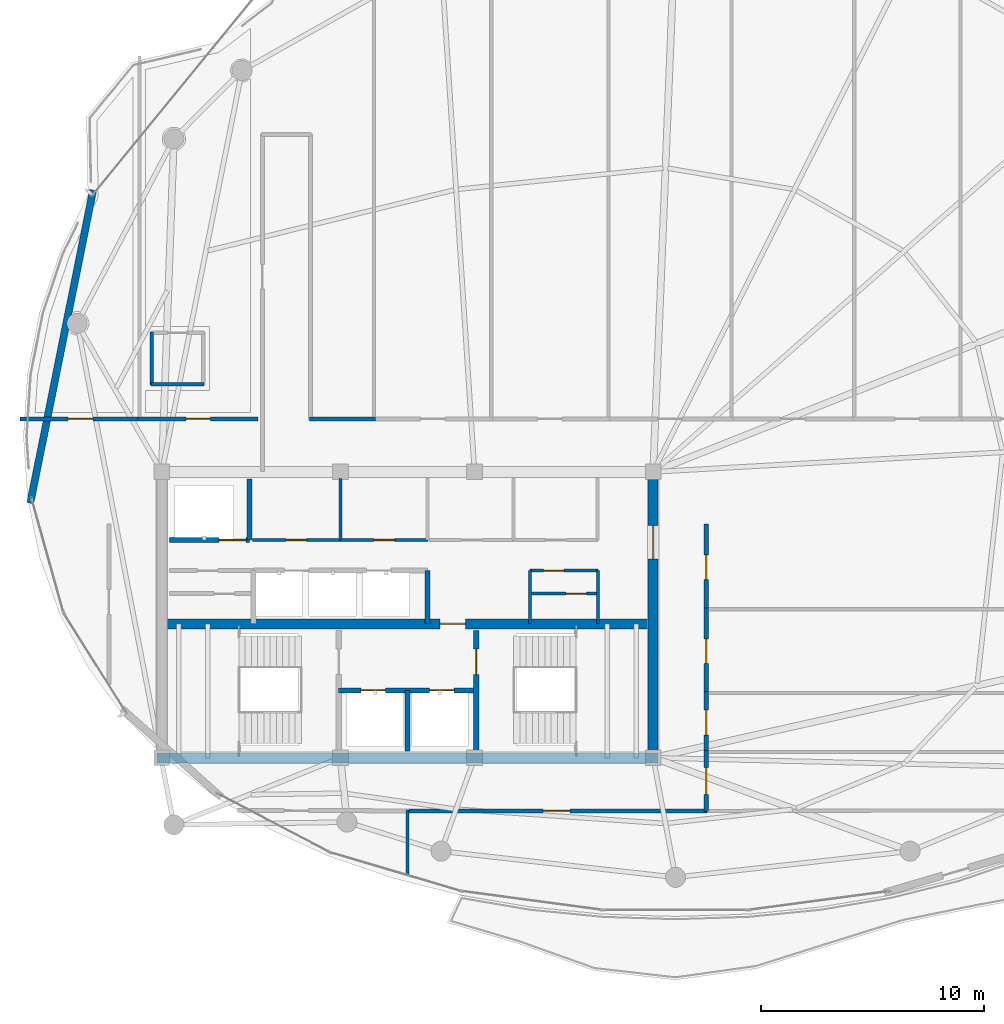
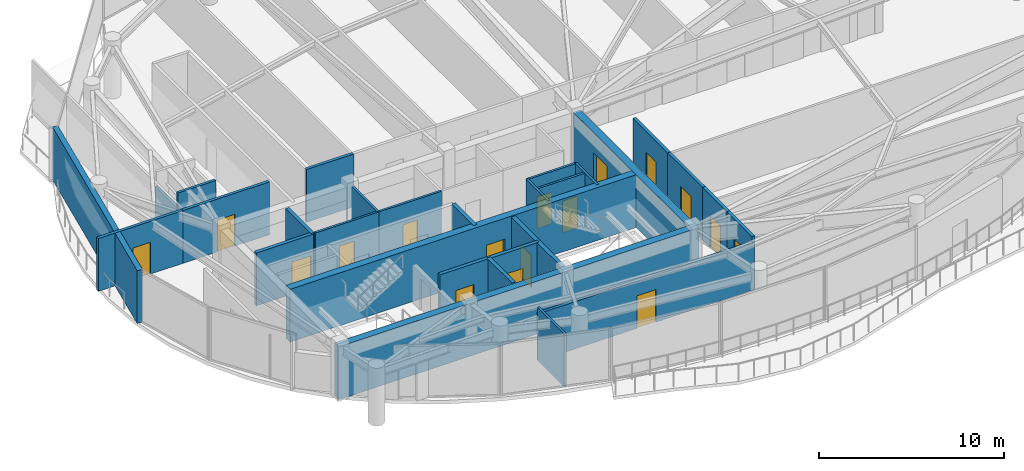
# One storey, part 24 of 29: 28 walls, 17 doors, 17 openings.
"""IFC4 building model written with IfcOpenShell, lengths in metres."""

from ifc_helpers import new_model, si_unit, direction, frame, frame_2d, origin, place, context, subcontext, project, spatial, rectangle, extrude, material, layer, layer_set, type_object, element, fill, save


model = new_model("IFC4")

# Units and contexts
model_context = context("Model", 3, precision=1e-05, world=origin(), true_north=direction((0.0, 1.0)))
body_context = subcontext(model_context, "Body", "Model", "MODEL_VIEW")
ifc_project = project(units=[si_unit("LENGTHUNIT", "METRE"), si_unit("AREAUNIT", "SQUARE_METRE"), si_unit("VOLUMEUNIT", "CUBIC_METRE"), si_unit("PLANEANGLEUNIT", "RADIAN"), si_unit("MASSUNIT", "GRAM", prefix="KILO")], contexts=[model_context])

# Site, building, storey
site_placement = place(None, origin())
site = spatial("IfcSite", under=ifc_project, at=site_placement, CompositionType="ELEMENT")
building_placement = place(site_placement, origin())
building = spatial("IfcBuilding", under=site, at=building_placement, Name="Kazevale Care Tower and Concert Hall", CompositionType="ELEMENT")
storey_placement = place(building_placement, frame((0.0, 0.0, 289.0)))
storey = spatial("IfcBuildingStorey", under=building, at=storey_placement, Name="L76", CompositionType="ELEMENT", Elevation=289.0)

# Wall, opening, door
ifc_material_1 = material(Name="Acoustic Gypsum on Steel Stud", Category="steel")
ifc_layer_1 = layer(ifc_material_1, 0.139892578125)
ifc_layer_set_1 = layer_set([ifc_layer_1], Name="Acoustic Gypsum on Steel Stud")
wall_type_1 = type_object("IfcWallType", Name="Acoustic Care & Suite Partition 140", PredefinedType="PARTITIONING", material=ifc_layer_set_1)
wall_1_placement = place(storey_placement, frame((26.050048828125, 33.35009765625, 0.0), z_axis=(0.0, 0.0, 1.0), x_axis=(1.0, 0.0, 0.0)))
wall_1 = element("IfcWall", 1, at=wall_1_placement, inside=storey, type_object=wall_type_1, Name="wall:L76:c_rpl1_s", PredefinedType="PARTITIONING", context=body_context, shape_type="SweptSolid", body=[
    extrude(rectangle(XDim=3.949951171875, YDim=0.139892578125, at=frame_2d((1.97509765625, 0.0))), origin(), (0.0, 0.0, 1.0), 3.47998046875),
])
opening_1_placement = place(wall_1_placement, frame((1.514892578125, 0.0, 0.0)))
opening_1 = element("IfcOpeningElement", 2, at=opening_1_placement, cuts=wall_1, Name="Opening ID-900", PredefinedType="OPENING", context=body_context, shape_type="SweptSolid", body=[
    extrude(rectangle(XDim=0.919921875, YDim=2.10009765625, at=frame_2d((0.4599609375, 1.050048828125))), frame((0.0, 0.079833984375, 0.0), z_axis=(0.0, -1.0, 0.0), x_axis=(1.0, 0.0, 0.0)), (0.0, 0.0, 1.0), 0.159912109375),
])
ifc_material_2 = material(Name="Oak Timber Fire Leaf", Category="wood")
door_type_1 = type_object("IfcDoorType", Name="Bathroom & Service Door 920x2100", OperationType="NOTDEFINED", PredefinedType="DOOR", material=ifc_material_2)
door_1_placement = place(opening_1_placement, origin())
door_1 = element("IfcDoor", 3, at=door_1_placement, inside=storey, type_object=door_type_1, Name="door:L76:d_rpl1", OperationType="SINGLE_SWING_LEFT", OverallHeight=2.10009765625, OverallWidth=0.919921875, PredefinedType="DOOR", context=body_context, shape_type="SweptSolid", body=[
    extrude(rectangle(XDim=0.919921875, YDim=2.10009765625, at=frame_2d((0.4599609375, 1.050048828125))), frame((0.0, 0.02490234375, 0.0), z_axis=(0.0, -1.0, 0.0), x_axis=(1.0, 0.0, 0.0)), (0.0, 0.0, 1.0), 0.050048828125),
])
fill(opening_1, door_1)

wall_2_placement = place(storey_placement, frame((30.0, 33.35009765625, 0.0), z_axis=(0.0, 0.0, 1.0), x_axis=(1.0, 0.0, 0.0)))
wall_2 = element("IfcWall", 4, at=wall_2_placement, inside=storey, type_object=wall_type_1, Name="wall:L76:c_rpl2_s", PredefinedType="PARTITIONING", context=body_context, shape_type="SweptSolid", body=[
    extrude(rectangle(XDim=3.919921875, YDim=0.139892578125, at=frame_2d((1.9599609375, 0.0))), origin(), (0.0, 0.0, 1.0), 3.47998046875),
])
opening_2_placement = place(wall_2_placement, frame((1.5, 0.0, 0.0)))
opening_2 = element("IfcOpeningElement", 5, at=opening_2_placement, cuts=wall_2, Name="Opening ID-900", PredefinedType="OPENING", context=body_context, shape_type="SweptSolid", body=[
    extrude(rectangle(XDim=0.919921875, YDim=2.10009765625, at=frame_2d((0.4599609375, 1.050048828125))), frame((0.0, 0.079833984375, 0.0), z_axis=(0.0, -1.0, 0.0), x_axis=(1.0, 0.0, 0.0)), (0.0, 0.0, 1.0), 0.159912109375),
])
door_2_placement = place(opening_2_placement, origin())
door_2 = element("IfcDoor", 6, at=door_2_placement, inside=storey, type_object=door_type_1, Name="door:L76:d_rpl2", OperationType="SINGLE_SWING_RIGHT", OverallHeight=2.10009765625, OverallWidth=0.919921875, PredefinedType="DOOR", context=body_context, shape_type="SweptSolid", body=[
    extrude(rectangle(XDim=0.919921875, YDim=2.10009765625, at=frame_2d((0.4599609375, 1.050048828125))), frame((0.0, 0.02490234375, 0.0), z_axis=(0.0, -1.0, 0.0), x_axis=(1.0, 0.0, 0.0)), (0.0, 0.0, 1.0), 0.050048828125),
])
fill(opening_2, door_2)

# Walls
wall_3_placement = place(storey_placement, frame((30.0, 33.35009765625, 0.0), z_axis=(0.0, 0.0, 1.0), x_axis=(0.0, 1.0, 0.0)))
element("IfcWall", 7, at=wall_3_placement, inside=storey, type_object=wall_type_1, Name="wall:L76:c_rpl_m", PredefinedType="PARTITIONING", context=body_context, shape_type="SweptSolid", body=[
    extrude(rectangle(XDim=2.75, YDim=0.139892578125, at=frame_2d((1.375, 0.0))), origin(), (0.0, 0.0, 1.0), 3.47998046875),
])
for number, where, z_axis, x_axis, name in (
    (8, (38.47998046875, 29.6201171875, 0.0), (0.0, 0.0, 1.0), (0.0, 1.0, 0.0), "wall:L76:kc_ew"),
    (9, (41.52001953125, 29.6201171875, 0.0), (0.0, 0.0, 1.0), (0.0, 1.0, 0.0), "wall:L76:kc_ee"),
):
    element("IfcWall", number, at=place(storey_placement, frame(where, z_axis=z_axis, x_axis=x_axis)), inside=storey, type_object=wall_type_1, Name=name, PredefinedType="PARTITIONING", context=body_context, shape_type="SweptSolid", body=[
        extrude(rectangle(XDim=2.35986328125, YDim=0.139892578125, at=frame_2d((1.179931640625, 0.0))), origin(), (0.0, 0.0, 1.0), 3.47998046875),
    ])

# Wall, opening, door
wall_4_placement = place(storey_placement, frame((38.47998046875, 30.949951171875, 0.0), z_axis=(0.0, 0.0, 1.0), x_axis=(1.0, 0.0, 0.0)))
wall_4 = element("IfcWall", 10, at=wall_4_placement, inside=storey, type_object=wall_type_1, Name="wall:L76:kc_em", PredefinedType="PARTITIONING", context=body_context, shape_type="SweptSolid", body=[
    extrude(rectangle(XDim=3.0400390625, YDim=0.139892578125, at=frame_2d((1.52001953125, 0.0))), origin(), (0.0, 0.0, 1.0), 3.47998046875),
])
opening_3_placement = place(wall_4_placement, frame((1.616943359375, 0.0, 0.0)))
opening_3 = element("IfcOpeningElement", 11, at=opening_3_placement, cuts=wall_4, Name="Opening ID-900", PredefinedType="OPENING", context=body_context, shape_type="SweptSolid", body=[
    extrude(rectangle(XDim=0.919921875, YDim=2.10009765625, at=frame_2d((0.4599609375, 1.050048828125))), frame((0.0, 0.079833984375, 0.0), z_axis=(0.0, -1.0, 0.0), x_axis=(1.0, 0.0, 0.0)), (0.0, 0.0, 1.0), 0.159912109375),
])
door_3_placement = place(opening_3_placement, origin())
door_3 = element("IfcDoor", 12, at=door_3_placement, inside=storey, type_object=door_type_1, Name="door:L76:d_kceb", OperationType="SINGLE_SWING_RIGHT", OverallHeight=2.10009765625, OverallWidth=0.919921875, PredefinedType="DOOR", context=body_context, shape_type="SweptSolid", body=[
    extrude(rectangle(XDim=0.919921875, YDim=2.10009765625, at=frame_2d((0.4599609375, 1.050048828125))), frame((0.0, 0.02490234375, 0.0), z_axis=(0.0, -1.0, 0.0), x_axis=(1.0, 0.0, 0.0)), (0.0, 0.0, 1.0), 0.050048828125),
])
fill(opening_3, door_3)

wall_5_placement = place(storey_placement, frame((38.47998046875, 31.97998046875, 0.0), z_axis=(0.0, 0.0, 1.0), x_axis=(1.0, 0.0, 0.0)))
wall_5 = element("IfcWall", 13, at=wall_5_placement, inside=storey, type_object=wall_type_1, Name="wall:L76:kc_en", PredefinedType="PARTITIONING", context=body_context, shape_type="SweptSolid", body=[
    extrude(rectangle(XDim=3.0400390625, YDim=0.139892578125, at=frame_2d((1.52001953125, 0.0))), origin(), (0.0, 0.0, 1.0), 3.47998046875),
])
opening_4_placement = place(wall_5_placement, frame((0.614013671875, 0.0, 0.0)))
opening_4 = element("IfcOpeningElement", 14, at=opening_4_placement, cuts=wall_5, Name="Opening ID-900", PredefinedType="OPENING", context=body_context, shape_type="SweptSolid", body=[
    extrude(rectangle(XDim=0.919921875, YDim=2.10009765625, at=frame_2d((0.4599609375, 1.050048828125))), frame((0.0, 0.079833984375, 0.0), z_axis=(0.0, -1.0, 0.0), x_axis=(1.0, 0.0, 0.0)), (0.0, 0.0, 1.0), 0.159912109375),
])
door_4_placement = place(opening_4_placement, origin())
door_4 = element("IfcDoor", 15, at=door_4_placement, inside=storey, type_object=door_type_1, Name="door:L76:d_kcet", OperationType="SINGLE_SWING_LEFT", OverallHeight=2.10009765625, OverallWidth=0.919921875, PredefinedType="DOOR", context=body_context, shape_type="SweptSolid", body=[
    extrude(rectangle(XDim=0.919921875, YDim=2.10009765625, at=frame_2d((0.4599609375, 1.050048828125))), frame((0.0, 0.02490234375, 0.0), z_axis=(0.0, -1.0, 0.0), x_axis=(1.0, 0.0, 0.0)), (0.0, 0.0, 1.0), 0.050048828125),
])
fill(opening_4, door_4)

# Walls
wall_6_placement = place(storey_placement, frame((33.0, 21.2548828125, 0.0), z_axis=(0.0, 0.0, 1.0), x_axis=(0.0, -1.0, 0.0)))
element("IfcWall", 16, at=wall_6_placement, inside=storey, type_object=wall_type_1, Name="wall:L76:auto_034", PredefinedType="PARTITIONING", context=body_context, shape_type="SweptSolid", body=[
    extrude(rectangle(XDim=2.904296875, YDim=0.139892578125, at=frame_2d((1.4521484375, 0.0))), origin(), (0.0, 0.0, 1.0), 3.47998046875),
])
ifc_material_3 = material(Name="Concrete C50", Category="concrete")
ifc_layer_2 = layer(ifc_material_3, 0.449951171875)
ifc_layer_set_2 = layer_set([ifc_layer_2], Name="Concrete C50")
wall_type_2 = type_object("IfcWallType", Name="Core Shear Wall 450 C50", PredefinedType="SHEAR", material=ifc_layer_set_2)
wall_7_placement = place(storey_placement, frame((21.77490234375, 23.60009765625, 0.0), z_axis=(0.0, 0.0, 1.0), x_axis=(1.0, 0.0, 0.0)))
element("IfcWall", 17, at=wall_7_placement, inside=storey, type_object=wall_type_2, Name="wall:L76:core:S", PredefinedType="SHEAR", context=body_context, shape_type="SweptSolid", body=[
    extrude(rectangle(XDim=22.4501953125, YDim=0.449951171875, at=frame_2d((11.22509765625, 0.0))), origin(), (0.0, 0.0, 1.0), 3.47998046875),
])

# Wall, opening, door
wall_8_placement = place(storey_placement, frame((44.0, 23.824951171875, 0.0), z_axis=(0.0, 0.0, 1.0), x_axis=(0.0, 1.0, 0.0)))
wall_8 = element("IfcWall", 18, at=wall_8_placement, inside=storey, type_object=wall_type_2, Name="wall:L76:core:E", PredefinedType="SHEAR", context=body_context, shape_type="SweptSolid", body=[
    extrude(rectangle(XDim=12.35009765625, YDim=0.449951171875, at=frame_2d((6.175048828125, 0.0))), origin(), (0.0, 0.0, 1.0), 3.47998046875),
])
opening_5_placement = place(wall_8_placement, frame((8.675048828125, 0.0, 0.0)))
opening_5 = element("IfcOpeningElement", 19, at=opening_5_placement, cuts=wall_8, Name="Opening FD-60D", PredefinedType="OPENING", context=body_context, shape_type="SweptSolid", body=[
    extrude(rectangle(XDim=1.5, YDim=2.14990234375, at=frame_2d((0.75, 1.074951171875))), frame((0.0, 0.23486328125, 0.0), z_axis=(0.0, -1.0, 0.0), x_axis=(1.0, 0.0, 0.0)), (0.0, 0.0, 1.0), 0.469970703125),
])
door_type_2 = type_object("IfcDoorType", Name="Double Lobby & Auditorium Fire Door 1500x2150", OperationType="NOTDEFINED", PredefinedType="DOOR", material=ifc_material_2)
door_5_placement = place(opening_5_placement, origin())
door_5 = element("IfcDoor", 20, at=door_5_placement, inside=storey, type_object=door_type_2, Name="door:L76:core_east_out", OperationType="DOUBLE_DOOR_SINGLE_SWING", OverallHeight=2.14990234375, OverallWidth=1.5, PredefinedType="DOOR", context=body_context, shape_type="SweptSolid", body=[
    extrude(rectangle(XDim=1.5, YDim=2.14990234375, at=frame_2d((0.75, 1.074951171875))), frame((0.0, 0.02490234375, 0.0), z_axis=(0.0, -1.0, 0.0), x_axis=(1.0, 0.0, 0.0)), (0.0, 0.0, 1.0), 0.050048828125),
])
fill(opening_5, door_5)

wall_9_placement = place(storey_placement, frame((22.22509765625, 29.60009765625, 0.0), z_axis=(0.0, 0.0, 1.0), x_axis=(1.0, 0.0, 0.0)))
wall_9 = element("IfcWall", 21, at=wall_9_placement, inside=storey, type_object=wall_type_2, Name="wall:L76:core:M", PredefinedType="SHEAR", context=body_context, shape_type="SweptSolid", body=[
    extrude(rectangle(XDim=21.5498046875, YDim=0.449951171875, at=frame_2d((10.77490234375, 0.0))), origin(), (0.0, 0.0, 1.0), 3.47998046875),
])
opening_6_placement = place(wall_9_placement, frame((12.22509765625, 0.0, 0.0)))
opening_6 = element("IfcOpeningElement", 22, at=opening_6_placement, cuts=wall_9, Name="Opening FD-90", PredefinedType="OPENING", context=body_context, shape_type="SweptSolid", body=[
    extrude(rectangle(XDim=1.14990234375, YDim=2.10009765625, at=frame_2d((0.574951171875, 1.050048828125))), frame((0.0, 0.23486328125, 0.0), z_axis=(0.0, -1.0, 0.0), x_axis=(1.0, 0.0, 0.0)), (0.0, 0.0, 1.0), 0.469970703125),
])
ifc_material_4 = material(Name="Steel ASTM A572 Gr 50", Category="steel")
door_type_3 = type_object("IfcDoorType", Name="Pressurized Stair & Lobby Fire Door 1150x2100", OperationType="NOTDEFINED", PredefinedType="DOOR", material=ifc_material_4)
door_6_placement = place(opening_6_placement, origin())
door_6 = element("IfcDoor", 23, at=door_6_placement, inside=storey, type_object=door_type_3, Name="door:L76:ff_to_pax", OperationType="SINGLE_SWING_LEFT", OverallHeight=2.10009765625, OverallWidth=1.14990234375, PredefinedType="DOOR", context=body_context, shape_type="SweptSolid", body=[
    extrude(rectangle(XDim=1.14990234375, YDim=2.10009765625, at=frame_2d((0.574951171875, 1.050048828125))), frame((0.0, 0.02490234375, 0.0), z_axis=(0.0, -1.0, 0.0), x_axis=(1.0, 0.0, 0.0)), (0.0, 0.0, 1.0), 0.050048828125),
])
fill(opening_6, door_6)

# Wall, openings, doors
ifc_material_5 = material(Name="Concrete C40", Category="concrete")
ifc_layer_3 = layer(ifc_material_5, 0.219970703125)
ifc_layer_set_3 = layer_set([ifc_layer_3], Name="Concrete C40")
wall_type_3 = type_object("IfcWallType", Name="Elevator Hoistway Shaft Wall 220", PredefinedType="SOLIDWALL", material=ifc_layer_set_3)
wall_10_placement = place(storey_placement, frame((29.919921875, 26.6201171875, 0.0), z_axis=(0.0, 0.0, 1.0), x_axis=(1.0, 0.0, 0.0)))
wall_10 = element("IfcWall", 24, at=wall_10_placement, inside=storey, type_object=wall_type_3, Name="wall:L76:c_ffl_n", PredefinedType="SOLIDWALL", context=body_context, shape_type="SweptSolid", body=[
    extrude(rectangle(XDim=6.16015625, YDim=0.219970703125, at=frame_2d((3.080078125, 0.0))), origin(), (0.0, 0.0, 1.0), 3.47998046875),
])
opening_7_placement = place(wall_10_placement, frame((0.989990234375, 0.0, 0.0)))
opening_7 = element("IfcOpeningElement", 25, at=opening_7_placement, cuts=wall_10, Name="Opening LD-FF", PredefinedType="OPENING", context=body_context, shape_type="SweptSolid", body=[
    extrude(rectangle(XDim=1.10009765625, YDim=2.10009765625, at=frame_2d((0.550048828125, 1.050048828125))), frame((0.0, 0.119873046875, 0.0), z_axis=(0.0, -1.0, 0.0), x_axis=(1.0, 0.0, 0.0)), (0.0, 0.0, 1.0), 0.239990234375),
])
opening_8_placement = place(wall_10_placement, frame((4.070068359375, 0.0, 0.0)))
opening_8 = element("IfcOpeningElement", 26, at=opening_8_placement, cuts=wall_10, Name="Opening LD-FF", PredefinedType="OPENING", context=body_context, shape_type="SweptSolid", body=[
    extrude(rectangle(XDim=1.10009765625, YDim=2.10009765625, at=frame_2d((0.550048828125, 1.050048828125))), frame((0.0, 0.119873046875, 0.0), z_axis=(0.0, -1.0, 0.0), x_axis=(1.0, 0.0, 0.0)), (0.0, 0.0, 1.0), 0.239990234375),
])
ifc_material_6 = material(Name="Stainless Steel 316", Category="steel")
door_type_4 = type_object("IfcDoorType", Name="Emergency Lift Sliding Landing Door 1100x2100", OperationType="NOTDEFINED", PredefinedType="DOOR", material=ifc_material_6)
door_7_placement = place(opening_7_placement, origin())
door_7 = element("IfcDoor", 27, at=door_7_placement, inside=storey, type_object=door_type_4, Name="door:L76:ld_ffl1", OperationType="SLIDING_TO_LEFT", OverallHeight=2.10009765625, OverallWidth=1.10009765625, PredefinedType="DOOR", context=body_context, shape_type="SweptSolid", body=[
    extrude(rectangle(XDim=1.10009765625, YDim=2.10009765625, at=frame_2d((0.550048828125, 1.050048828125))), frame((0.0, 0.02490234375, 0.0), z_axis=(0.0, -1.0, 0.0), x_axis=(1.0, 0.0, 0.0)), (0.0, 0.0, 1.0), 0.050048828125),
])
fill(opening_7, door_7)
door_8_placement = place(opening_8_placement, origin())
door_8 = element("IfcDoor", 28, at=door_8_placement, inside=storey, type_object=door_type_4, Name="door:L76:ld_ffl2", OperationType="SLIDING_TO_RIGHT", OverallHeight=2.10009765625, OverallWidth=1.10009765625, PredefinedType="DOOR", context=body_context, shape_type="SweptSolid", body=[
    extrude(rectangle(XDim=1.10009765625, YDim=2.10009765625, at=frame_2d((0.550048828125, 1.050048828125))), frame((0.0, 0.02490234375, 0.0), z_axis=(0.0, -1.0, 0.0), x_axis=(1.0, 0.0, 0.0)), (0.0, 0.0, 1.0), 0.050048828125),
])
fill(opening_8, door_8)

# Walls
wall_11_placement = place(storey_placement, frame((33.0, 23.89990234375, 0.0), z_axis=(0.0, 0.0, 1.0), x_axis=(0.0, 1.0, 0.0)))
element("IfcWall", 29, at=wall_11_placement, inside=storey, type_object=wall_type_3, Name="wall:L76:c_ffl_m", PredefinedType="SOLIDWALL", context=body_context, shape_type="SweptSolid", body=[
    extrude(rectangle(XDim=2.72021484375, YDim=0.219970703125, at=frame_2d((1.360107421875, 0.0))), origin(), (0.0, 0.0, 1.0), 3.47998046875),
])
wall_12_placement = place(storey_placement, frame((25.919921875, 33.35009765625, 0.0), z_axis=(0.0, 0.0, 1.0), x_axis=(0.0, 1.0, 0.0)))
element("IfcWall", 30, at=wall_12_placement, inside=storey, type_object=wall_type_3, Name="wall:L76:c_svl_e", PredefinedType="SOLIDWALL", context=body_context, shape_type="SweptSolid", body=[
    extrude(rectangle(XDim=2.72998046875, YDim=0.219970703125, at=frame_2d((1.364990234375, 0.0))), origin(), (0.0, 0.0, 1.0), 3.47998046875),
])

# Wall, opening, door
wall_13_placement = place(storey_placement, frame((22.35009765625, 33.35009765625, 0.0), z_axis=(0.0, 0.0, 1.0), x_axis=(1.0, 0.0, 0.0)))
wall_13 = element("IfcWall", 31, at=wall_13_placement, inside=storey, type_object=wall_type_3, Name="wall:L76:c_svl_s", PredefinedType="SOLIDWALL", context=body_context, shape_type="SweptSolid", body=[
    extrude(rectangle(XDim=3.56982421875, YDim=0.219970703125, at=frame_2d((1.784912109375, 0.0))), origin(), (0.0, 0.0, 1.0), 3.47998046875),
])
opening_9_placement = place(wall_13_placement, frame((2.212890625, 0.0, 0.0)))
opening_9 = element("IfcOpeningElement", 32, at=opening_9_placement, cuts=wall_13, Name="Opening LD-SV", PredefinedType="OPENING", context=body_context, shape_type="SweptSolid", body=[
    extrude(rectangle(XDim=1.199951171875, YDim=2.10009765625, at=frame_2d((0.60009765625, 1.050048828125))), frame((0.0, 0.119873046875, 0.0), z_axis=(0.0, -1.0, 0.0), x_axis=(1.0, 0.0, 0.0)), (0.0, 0.0, 1.0), 0.239990234375),
])
door_type_5 = type_object("IfcDoorType", Name="Service Lift Sliding Landing Door 1200x2100", OperationType="NOTDEFINED", PredefinedType="DOOR", material=ifc_material_6)
door_9_placement = place(opening_9_placement, origin())
door_9 = element("IfcDoor", 33, at=door_9_placement, inside=storey, type_object=door_type_5, Name="door:L76:ld_svl1", OperationType="SLIDING_TO_LEFT", OverallHeight=2.10009765625, OverallWidth=1.199951171875, PredefinedType="DOOR", context=body_context, shape_type="SweptSolid", body=[
    extrude(rectangle(XDim=1.199951171875, YDim=2.10009765625, at=frame_2d((0.60009765625, 1.050048828125))), frame((0.0, 0.02490234375, 0.0), z_axis=(0.0, -1.0, 0.0), x_axis=(1.0, 0.0, 0.0)), (0.0, 0.0, 1.0), 0.050048828125),
])
fill(opening_9, door_9)

# Wall
wall_14_placement = place(storey_placement, frame((33.89990234375, 29.6201171875, 0.0), z_axis=(0.0, 0.0, 1.0), x_axis=(0.0, 1.0, 0.0)))
element("IfcWall", 34, at=wall_14_placement, inside=storey, type_object=wall_type_3, Name="wall:L76:c_ph_e", PredefinedType="SOLIDWALL", context=body_context, shape_type="SweptSolid", body=[
    extrude(rectangle(XDim=2.35986328125, YDim=0.219970703125, at=frame_2d((1.179931640625, 0.0))), origin(), (0.0, 0.0, 1.0), 3.47998046875),
])

# Wall, opening, door
ifc_material_7 = material(Name="Concrete C40 and Acoustic Gypsum", Category="concrete")
ifc_layer_4 = layer(ifc_material_7, 0.179931640625)
ifc_layer_set_4 = layer_set([ifc_layer_4], Name="Concrete C40 and Acoustic Gypsum")
wall_type_4 = type_object("IfcWallType", Name="Fire-Rated Corridor & Party Wall 180", PredefinedType="PARTITIONING", material=ifc_layer_set_4)
wall_15_placement = place(storey_placement, frame((15.65087890625, 38.77490234375, 0.0), z_axis=(0.0, 0.0, 1.0), x_axis=(1.0, 0.0, 0.0)))
wall_15 = element("IfcWall", 35, at=wall_15_placement, inside=storey, type_object=wall_type_4, Name="wall:L76:auto_001", PredefinedType="PARTITIONING", context=body_context, shape_type="SweptSolid", body=[
    extrude(rectangle(XDim=5.4140625, YDim=0.179931640625, at=frame_2d((2.70703125, 0.0))), origin(), (0.0, 0.0, 1.0), 3.47998046875),
])
opening_10_placement = place(wall_15_placement, frame((2.156982421875, 0.0, 0.0)))
opening_10 = element("IfcOpeningElement", 36, at=opening_10_placement, cuts=wall_15, Name="Opening ID-1100", PredefinedType="OPENING", context=body_context, shape_type="SweptSolid", body=[
    extrude(rectangle(XDim=1.10009765625, YDim=2.10009765625, at=frame_2d((0.550048828125, 1.050048828125))), frame((0.0, 0.099853515625, 0.0), z_axis=(0.0, -1.0, 0.0), x_axis=(1.0, 0.0, 0.0)), (0.0, 0.0, 1.0), 0.199951171875),
])
door_type_6 = type_object("IfcDoorType", Name="Care Bedroom Accessible Door 1100x2100", OperationType="NOTDEFINED", PredefinedType="DOOR", material=ifc_material_2)
door_10_placement = place(opening_10_placement, origin())
door_10 = element("IfcDoor", 37, at=door_10_placement, inside=storey, type_object=door_type_6, Name="door:L76:ad_001", OperationType="SINGLE_SWING_LEFT", OverallHeight=2.10009765625, OverallWidth=1.10009765625, PredefinedType="DOOR", context=body_context, shape_type="SweptSolid", body=[
    extrude(rectangle(XDim=1.10009765625, YDim=2.10009765625, at=frame_2d((0.550048828125, 1.050048828125))), frame((0.0, 0.02490234375, 0.0), z_axis=(0.0, -1.0, 0.0), x_axis=(1.0, 0.0, 0.0)), (0.0, 0.0, 1.0), 0.050048828125),
])
fill(opening_10, door_10)

wall_16_placement = place(storey_placement, frame((20.93505859375, 38.77490234375, 0.0), z_axis=(0.0, 0.0, 1.0), x_axis=(1.0, 0.0, 0.0)))
wall_16 = element("IfcWall", 38, at=wall_16_placement, inside=storey, type_object=wall_type_4, Name="wall:L76:auto_002", PredefinedType="PARTITIONING", context=body_context, shape_type="SweptSolid", body=[
    extrude(rectangle(XDim=5.3798828125, YDim=0.179931640625, at=frame_2d((2.68994140625, 0.0))), origin(), (0.0, 0.0, 1.0), 3.47998046875),
])
opening_11_placement = place(wall_16_placement, frame((2.139892578125, 0.0, 0.0)))
opening_11 = element("IfcOpeningElement", 39, at=opening_11_placement, cuts=wall_16, Name="Opening ID-1100", PredefinedType="OPENING", context=body_context, shape_type="SweptSolid", body=[
    extrude(rectangle(XDim=1.10009765625, YDim=2.10009765625, at=frame_2d((0.550048828125, 1.050048828125))), frame((0.0, 0.099853515625, 0.0), z_axis=(0.0, -1.0, 0.0), x_axis=(1.0, 0.0, 0.0)), (0.0, 0.0, 1.0), 0.199951171875),
])
door_11_placement = place(opening_11_placement, origin())
door_11 = element("IfcDoor", 40, at=door_11_placement, inside=storey, type_object=door_type_6, Name="door:L76:ad_002", OperationType="SINGLE_SWING_LEFT", OverallHeight=2.10009765625, OverallWidth=1.10009765625, PredefinedType="DOOR", context=body_context, shape_type="SweptSolid", body=[
    extrude(rectangle(XDim=1.10009765625, YDim=2.10009765625, at=frame_2d((0.550048828125, 1.050048828125))), frame((0.0, 0.02490234375, 0.0), z_axis=(0.0, -1.0, 0.0), x_axis=(1.0, 0.0, 0.0)), (0.0, 0.0, 1.0), 0.050048828125),
])
fill(opening_11, door_11)

# Wall
wall_17_placement = place(storey_placement, frame((28.6201171875, 38.77490234375, 0.0), z_axis=(0.0, 0.0, 1.0), x_axis=(1.0, 0.0, 0.0)))
element("IfcWall", 41, at=wall_17_placement, inside=storey, type_object=wall_type_4, Name="wall:L76:auto_005", PredefinedType="PARTITIONING", context=body_context, shape_type="SweptSolid", body=[
    extrude(rectangle(XDim=2.94482421875, YDim=0.179931640625, at=frame_2d((1.472412109375, 0.0))), origin(), (0.0, 0.0, 1.0), 3.47998046875),
])

# Wall, opening, door
wall_18_placement = place(storey_placement, frame((46.375, 23.925048828125, 0.0), z_axis=(0.0, 0.0, 1.0), x_axis=(0.0, -1.0, 0.0)))
wall_18 = element("IfcWall", 42, at=wall_18_placement, inside=storey, type_object=wall_type_4, Name="wall:L76:auto_014", PredefinedType="PARTITIONING", context=body_context, shape_type="SweptSolid", body=[
    extrude(rectangle(XDim=2.72998046875, YDim=0.179931640625, at=frame_2d((1.364990234375, 0.0))), origin(), (0.0, 0.0, 1.0), 3.47998046875),
])
opening_12_placement = place(wall_18_placement, frame((0.764892578125, 0.0, 0.0)))
opening_12 = element("IfcOpeningElement", 43, at=opening_12_placement, cuts=wall_18, Name="Opening ID-1200", PredefinedType="OPENING", context=body_context, shape_type="SweptSolid", body=[
    extrude(rectangle(XDim=1.199951171875, YDim=2.14990234375, at=frame_2d((0.60009765625, 1.074951171875))), frame((0.0, 0.099853515625, 0.0), z_axis=(0.0, -1.0, 0.0), x_axis=(1.0, 0.0, 0.0)), (0.0, 0.0, 1.0), 0.199951171875),
])
door_type_7 = type_object("IfcDoorType", Name="Clinical & Therapy Door 1200x2150", OperationType="NOTDEFINED", PredefinedType="DOOR", material=ifc_material_2)
door_12_placement = place(opening_12_placement, origin())
door_12 = element("IfcDoor", 44, at=door_12_placement, inside=storey, type_object=door_type_7, Name="door:L76:ad_014", OperationType="SINGLE_SWING_LEFT", OverallHeight=2.14990234375, OverallWidth=1.199951171875, PredefinedType="DOOR", context=body_context, shape_type="SweptSolid", body=[
    extrude(rectangle(XDim=1.199951171875, YDim=2.14990234375, at=frame_2d((0.60009765625, 1.074951171875))), frame((0.0, 0.02490234375, 0.0), z_axis=(0.0, -1.0, 0.0), x_axis=(1.0, 0.0, 0.0)), (0.0, 0.0, 1.0), 0.050048828125),
])
fill(opening_12, door_12)

wall_19_placement = place(storey_placement, frame((46.375, 26.56494140625, 0.0), z_axis=(0.0, 0.0, 1.0), x_axis=(0.0, -1.0, 0.0)))
wall_19 = element("IfcWall", 45, at=wall_19_placement, inside=storey, type_object=wall_type_4, Name="wall:L76:auto_015", PredefinedType="PARTITIONING", context=body_context, shape_type="SweptSolid", body=[
    extrude(rectangle(XDim=2.77001953125, YDim=0.179931640625, at=frame_2d((1.385009765625, 0.0))), origin(), (0.0, 0.0, 1.0), 3.47998046875),
])
opening_13_placement = place(wall_19_placement, frame((0.8349609375, 0.0, 0.0)))
opening_13 = element("IfcOpeningElement", 46, at=opening_13_placement, cuts=wall_19, Name="Opening ID-1100", PredefinedType="OPENING", context=body_context, shape_type="SweptSolid", body=[
    extrude(rectangle(XDim=1.10009765625, YDim=2.10009765625, at=frame_2d((0.550048828125, 1.050048828125))), frame((0.0, 0.099853515625, 0.0), z_axis=(0.0, -1.0, 0.0), x_axis=(1.0, 0.0, 0.0)), (0.0, 0.0, 1.0), 0.199951171875),
])
door_13_placement = place(opening_13_placement, origin())
door_13 = element("IfcDoor", 47, at=door_13_placement, inside=storey, type_object=door_type_6, Name="door:L76:ad_015", OperationType="SINGLE_SWING_LEFT", OverallHeight=2.10009765625, OverallWidth=1.10009765625, PredefinedType="DOOR", context=body_context, shape_type="SweptSolid", body=[
    extrude(rectangle(XDim=1.10009765625, YDim=2.10009765625, at=frame_2d((0.550048828125, 1.050048828125))), frame((0.0, 0.02490234375, 0.0), z_axis=(0.0, -1.0, 0.0), x_axis=(1.0, 0.0, 0.0)), (0.0, 0.0, 1.0), 0.050048828125),
])
fill(opening_13, door_13)

wall_20_placement = place(storey_placement, frame((46.375, 30.31494140625, 0.0), z_axis=(0.0, 0.0, 1.0), x_axis=(0.0, -1.0, 0.0)))
wall_20 = element("IfcWall", 48, at=wall_20_placement, inside=storey, type_object=wall_type_4, Name="wall:L76:auto_016", PredefinedType="PARTITIONING", context=body_context, shape_type="SweptSolid", body=[
    extrude(rectangle(XDim=3.8798828125, YDim=0.179931640625, at=frame_2d((1.93994140625, 0.0))), origin(), (0.0, 0.0, 1.0), 3.47998046875),
])
opening_14_placement = place(wall_20_placement, frame((1.389892578125, 0.0, 0.0)))
opening_14 = element("IfcOpeningElement", 49, at=opening_14_placement, cuts=wall_20, Name="Opening ID-1100", PredefinedType="OPENING", context=body_context, shape_type="SweptSolid", body=[
    extrude(rectangle(XDim=1.10009765625, YDim=2.10009765625, at=frame_2d((0.550048828125, 1.050048828125))), frame((0.0, 0.099853515625, 0.0), z_axis=(0.0, -1.0, 0.0), x_axis=(1.0, 0.0, 0.0)), (0.0, 0.0, 1.0), 0.199951171875),
])
door_14_placement = place(opening_14_placement, origin())
door_14 = element("IfcDoor", 50, at=door_14_placement, inside=storey, type_object=door_type_6, Name="door:L76:ad_016", OperationType="SINGLE_SWING_LEFT", OverallHeight=2.10009765625, OverallWidth=1.10009765625, PredefinedType="DOOR", context=body_context, shape_type="SweptSolid", body=[
    extrude(rectangle(XDim=1.10009765625, YDim=2.10009765625, at=frame_2d((0.550048828125, 1.050048828125))), frame((0.0, 0.02490234375, 0.0), z_axis=(0.0, -1.0, 0.0), x_axis=(1.0, 0.0, 0.0)), (0.0, 0.0, 1.0), 0.050048828125),
])
fill(opening_14, door_14)

wall_21_placement = place(storey_placement, frame((46.375, 34.06494140625, 0.0), z_axis=(0.0, 0.0, 1.0), x_axis=(0.0, -1.0, 0.0)))
wall_21 = element("IfcWall", 51, at=wall_21_placement, inside=storey, type_object=wall_type_4, Name="wall:L76:auto_017", PredefinedType="PARTITIONING", context=body_context, shape_type="SweptSolid", body=[
    extrude(rectangle(XDim=3.8798828125, YDim=0.179931640625, at=frame_2d((1.93994140625, 0.0))), origin(), (0.0, 0.0, 1.0), 3.47998046875),
])
opening_15_placement = place(wall_21_placement, frame((1.389892578125, 0.0, 0.0)))
opening_15 = element("IfcOpeningElement", 52, at=opening_15_placement, cuts=wall_21, Name="Opening ID-1100", PredefinedType="OPENING", context=body_context, shape_type="SweptSolid", body=[
    extrude(rectangle(XDim=1.10009765625, YDim=2.10009765625, at=frame_2d((0.550048828125, 1.050048828125))), frame((0.0, 0.099853515625, 0.0), z_axis=(0.0, -1.0, 0.0), x_axis=(1.0, 0.0, 0.0)), (0.0, 0.0, 1.0), 0.199951171875),
])
door_15_placement = place(opening_15_placement, origin())
door_15 = element("IfcDoor", 53, at=door_15_placement, inside=storey, type_object=door_type_6, Name="door:L76:ad_017", OperationType="SINGLE_SWING_LEFT", OverallHeight=2.10009765625, OverallWidth=1.10009765625, PredefinedType="DOOR", context=body_context, shape_type="SweptSolid", body=[
    extrude(rectangle(XDim=1.10009765625, YDim=2.10009765625, at=frame_2d((0.550048828125, 1.050048828125))), frame((0.0, 0.02490234375, 0.0), z_axis=(0.0, -1.0, 0.0), x_axis=(1.0, 0.0, 0.0)), (0.0, 0.0, 1.0), 0.050048828125),
])
fill(opening_15, door_15)

wall_22_placement = place(storey_placement, frame((46.405029296875, 21.22509765625, 0.0), z_axis=(0.0, 0.0, 1.0), x_axis=(-1.0, 0.0, 0.0)))
wall_22 = element("IfcWall", 54, at=wall_22_placement, inside=storey, type_object=wall_type_4, Name="wall:L76:auto_019", PredefinedType="PARTITIONING", context=body_context, shape_type="SweptSolid", body=[
    extrude(rectangle(XDim=13.469970703125, YDim=0.179931640625, at=frame_2d((6.73486328125, 0.0))), origin(), (0.0, 0.0, 1.0), 3.115966796875),
])
opening_16_placement = place(wall_22_placement, frame((6.135009765625, 0.0, 0.0)))
opening_16 = element("IfcOpeningElement", 55, at=opening_16_placement, cuts=wall_22, Name="Opening ID-1200", PredefinedType="OPENING", context=body_context, shape_type="SweptSolid", body=[
    extrude(rectangle(XDim=1.199951171875, YDim=2.14990234375, at=frame_2d((0.60009765625, 1.074951171875))), frame((0.0, 0.099853515625, 0.0), z_axis=(0.0, -1.0, 0.0), x_axis=(1.0, 0.0, 0.0)), (0.0, 0.0, 1.0), 0.199951171875),
])
door_16_placement = place(opening_16_placement, origin())
door_16 = element("IfcDoor", 56, at=door_16_placement, inside=storey, type_object=door_type_7, Name="door:L76:ad_019", OperationType="SINGLE_SWING_LEFT", OverallHeight=2.14990234375, OverallWidth=1.199951171875, PredefinedType="DOOR", context=body_context, shape_type="SweptSolid", body=[
    extrude(rectangle(XDim=1.199951171875, YDim=2.14990234375, at=frame_2d((0.60009765625, 1.074951171875))), frame((0.0, 0.02490234375, 0.0), z_axis=(0.0, -1.0, 0.0), x_axis=(1.0, 0.0, 0.0)), (0.0, 0.0, 1.0), 0.050048828125),
])
fill(opening_16, door_16)

# Walls
ifc_layer_5 = layer(ifc_material_1, 0.159912109375)
ifc_layer_set_5 = layer_set([ifc_layer_5], Name="Acoustic Gypsum on Steel Stud")
wall_type_5 = type_object("IfcWallType", Name="Moisture-Resistant Bathroom Plumbing Wall 160", PredefinedType="PLUMBINGWALL", material=ifc_layer_set_5)
wall_23_placement = place(storey_placement, frame((21.510009765625, 40.324951171875, 0.0), z_axis=(0.0, 0.0, 1.0), x_axis=(1.0, 0.0, 0.0)))
element("IfcWall", 57, at=wall_23_placement, inside=storey, type_object=wall_type_5, Name="wall:L76:nb2a_ens_ws", PredefinedType="PLUMBINGWALL", context=body_context, shape_type="SweptSolid", body=[
    extrude(rectangle(XDim=2.3798828125, YDim=0.159912109375, at=frame_2d((1.18994140625, 0.0))), origin(), (0.0, 0.0, 1.0), 3.47998046875),
])
wall_24_placement = place(storey_placement, frame((21.550048828125, 40.284912109375, 0.0), z_axis=(0.0, 0.0, 1.0), x_axis=(0.0, 1.0, 0.0)))
element("IfcWall", 58, at=wall_24_placement, inside=storey, type_object=wall_type_5, Name="wall:L76:nb2a_ens_ww", PredefinedType="PLUMBINGWALL", context=body_context, shape_type="SweptSolid", body=[
    extrude(rectangle(XDim=2.380126953125, YDim=0.159912109375, at=frame_2d((1.18994140625, 0.0))), origin(), (0.0, 0.0, 1.0), 2.469970703125),
])

# Wall, opening, door
ifc_layer_6 = layer(ifc_material_5, 0.25)
ifc_layer_set_6 = layer_set([ifc_layer_6], Name="Concrete C40")
wall_type_6 = type_object("IfcWallType", Name="Pressurized Stair Shaft Wall 250", PredefinedType="SOLIDWALL", material=ifc_layer_set_6)
wall_25_placement = place(storey_placement, frame((36.080078125, 23.89990234375, 0.0), z_axis=(0.0, 0.0, 1.0), x_axis=(0.0, 1.0, 0.0)))
wall_25 = element("IfcWall", 59, at=wall_25_placement, inside=storey, type_object=wall_type_6, Name="wall:L76:c_st2_w", PredefinedType="SOLIDWALL", context=body_context, shape_type="SweptSolid", body=[
    extrude(rectangle(XDim=5.400146484375, YDim=0.25, at=frame_2d((2.7001953125, 0.0))), origin(), (0.0, 0.0, 1.0), 3.47998046875),
])
opening_17_placement = place(wall_25_placement, frame((3.4208984375, 0.0, 0.0)))
opening_17 = element("IfcOpeningElement", 60, at=opening_17_placement, cuts=wall_25, Name="Opening FD-90", PredefinedType="OPENING", context=body_context, shape_type="SweptSolid", body=[
    extrude(rectangle(XDim=1.14990234375, YDim=2.10009765625, at=frame_2d((0.574951171875, 1.050048828125))), frame((0.0, 0.135009765625, 0.0), z_axis=(0.0, -1.0, 0.0), x_axis=(1.0, 0.0, 0.0)), (0.0, 0.0, 1.0), 0.27001953125),
])
door_17_placement = place(opening_17_placement, origin())
door_17 = element("IfcDoor", 61, at=door_17_placement, inside=storey, type_object=door_type_3, Name="door:L76:st2", OperationType="SINGLE_SWING_LEFT", OverallHeight=2.10009765625, OverallWidth=1.14990234375, PredefinedType="DOOR", context=body_context, shape_type="SweptSolid", body=[
    extrude(rectangle(XDim=1.14990234375, YDim=2.10009765625, at=frame_2d((0.574951171875, 1.050048828125))), frame((0.0, 0.02490234375, 0.0), z_axis=(0.0, -1.0, 0.0), x_axis=(1.0, 0.0, 0.0)), (0.0, 0.0, 1.0), 0.050048828125),
])
fill(opening_17, door_17)

# Wall
ifc_material_8 = material(Name="Concrete C40 with Honed Limestone Cladding", Category="masonry")
ifc_layer_7 = layer(ifc_material_8, 0.320068359375)
ifc_layer_set_7 = layer_set([ifc_layer_7], Name="Concrete C40 with Honed Limestone Cladding")
wall_type_7 = type_object("IfcWallType", Name="Tower Honed Limestone Spandrel Wall 320", PredefinedType="STANDARD", material=ifc_layer_set_7)
wall_26_placement = place(storey_placement, frame((16.111083984375, 34.9990234375, 0.0), z_axis=(0.0, 0.0, 1.0), x_axis=(0.196720235208, 0.980459662128, 0.0)))
element("IfcWall", 62, at=wall_26_placement, inside=storey, type_object=wall_type_7, Name="wall:cw:L76:f13", PredefinedType="STANDARD", context=body_context, shape_type="SweptSolid", body=[
    extrude(rectangle(XDim=14.29931640625, YDim=0.320068359375, at=frame_2d((7.149658203125, 0.0))), origin(), (0.0, 0.0, 1.0), 3.47998046875),
])

save(model, "model.ifc")
